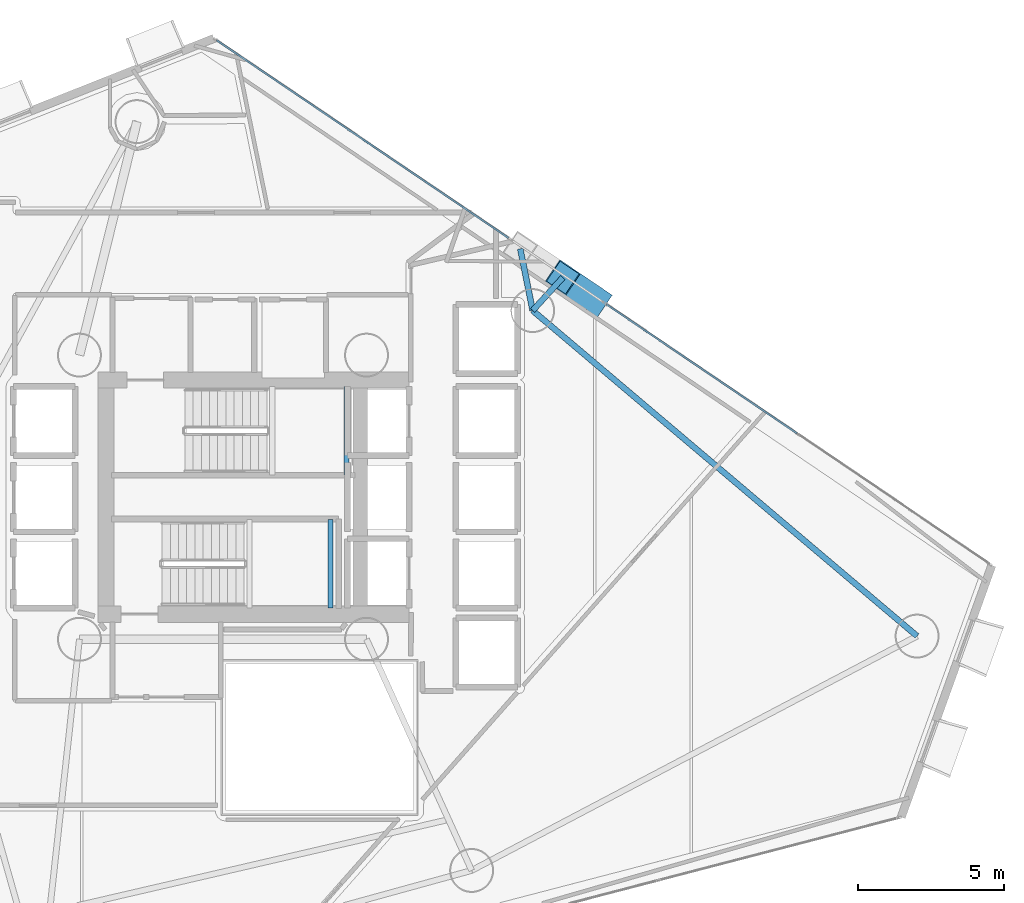
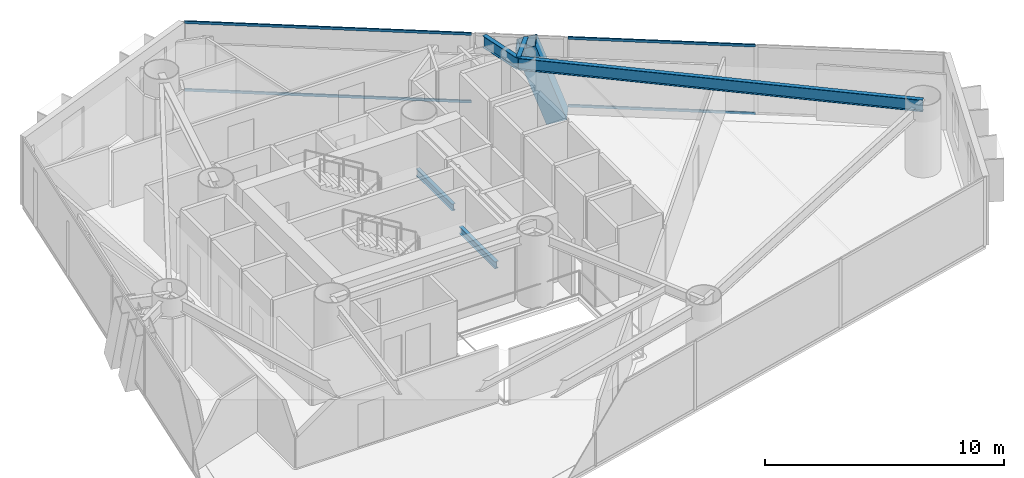
# One storey, part 10 of 21: 5 beams, 5 members, 2 elements without a shape of their own.
"""IFC4 building model written with IfcOpenShell, lengths in metres."""

import ifcopenshell
import ifcopenshell.guid

model = None  # the IFC model being written
_history = None  # IfcOwnerHistory: only IFC2X3 demands one
_inside = {}  # id of a spatial element -> (the spatial element, [elements in it])
_under = {}  # id of a project, library or spatial element -> (it, [spatial elements below it])
_declared = {}  # id of a project -> (the project, [libraries it declares])
_typed = {}  # id of a type object -> (the type object, [elements of that type])
_made_of = {}  # id of a material, layer set ... -> (it, [elements and type objects made of it])


def new_model(schema):
    """Start an empty IFC model of exactly this schema.

    Asked for "IFC4X3", IfcOpenShell would pick the latest addendum, in which some entities
    have other attributes; the version numbers below select the first issue.
    IFC2X3 requires an IfcOwnerHistory on every rooted entity: one is made here for all.
    """
    global model, _history
    if schema == "IFC4X3":
        model = ifcopenshell.file(schema_version=(4, 3, 0, 0))
    else:
        model = ifcopenshell.file(schema=schema)
    _inside.clear()
    _under.clear()
    _declared.clear()
    _typed.clear()
    _made_of.clear()
    _history = None
    if model.schema == "IFC2X3":
        org = make("IfcOrganization", Name="unknown")
        user = make(
            "IfcPersonAndOrganization",
            ThePerson=make("IfcPerson", FamilyName="unknown"),
            TheOrganization=org,
        )
        app = make(
            "IfcApplication",
            ApplicationDeveloper=org,
            Version="unknown",
            ApplicationFullName="unknown",
            ApplicationIdentifier="unknown",
        )
        _history = make(
            "IfcOwnerHistory",
            OwningUser=user,
            OwningApplication=app,
            ChangeAction="ADDED",
            CreationDate=0,
        )
    return model


def make(cls, **values):
    """One entity of the class cls with the attributes given. An attribute that is None is left unset."""
    return model.create_entity(
        cls, **{name: value for name, value in values.items() if value is not None}
    )


def rooted(cls, **values):
    """An entity with a GlobalId (a new one), such as an element, a storey or a relation."""
    return make(cls, GlobalId=ifcopenshell.guid.new(), OwnerHistory=_history, **values)


def si_unit(unit_type, name, prefix=None):
    """IfcSIUnit, for example si_unit("LENGTHUNIT", "METRE", prefix="MILLI")."""
    return make("IfcSIUnit", UnitType=unit_type, Prefix=prefix, Name=name)


def assignment(units):
    """IfcUnitAssignment: the units of a project."""
    return None if units is None else make("IfcUnitAssignment", Units=units)


def point(xyz):
    """IfcCartesianPoint."""
    return None if xyz is None else make("IfcCartesianPoint", Coordinates=xyz)


def direction(xyz):
    """IfcDirection."""
    return None if xyz is None else make("IfcDirection", DirectionRatios=xyz)


def frame(location, z_axis=None, x_axis=None):
    """IfcAxis2Placement3D, a coordinate frame: its origin and axes. An axis left out is left unset."""
    return make(
        "IfcAxis2Placement3D",
        Location=point(location),
        Axis=direction(z_axis),
        RefDirection=direction(x_axis),
    )


def frame_2d(location, x_axis=None):
    """IfcAxis2Placement2D, a coordinate frame in the plane: its origin and x axis."""
    return make(
        "IfcAxis2Placement2D", Location=point(location), RefDirection=direction(x_axis)
    )


def origin():
    """The frame at (0, 0, 0) with its axes left unset."""
    return frame((0.0, 0.0, 0.0))


def origin_2d():
    """The frame at (0, 0) in the plane with its x axis left unset."""
    return frame_2d((0.0, 0.0))


def place(relative_to, where):
    """IfcLocalPlacement: puts the frame where relative to a parent placement (None: the world)."""
    return make(
        "IfcLocalPlacement", PlacementRelTo=relative_to, RelativePlacement=where
    )


def context(
    kind, dimensions, precision=None, world=None, true_north=None, identifier=None
):
    """IfcGeometricRepresentationContext, for example the 3D "Model" context."""
    return make(
        "IfcGeometricRepresentationContext",
        ContextIdentifier=identifier,
        ContextType=kind,
        CoordinateSpaceDimension=dimensions,
        Precision=precision,
        WorldCoordinateSystem=world,
        TrueNorth=true_north,
    )


def subcontext(parent, identifier, kind, view, scale=None):
    """IfcGeometricRepresentationSubContext, for example "Body" below "Model"."""
    return make(
        "IfcGeometricRepresentationSubContext",
        ContextIdentifier=identifier,
        ContextType=kind,
        ParentContext=parent,
        TargetScale=scale,
        TargetView=view,
    )


def project(units=None, contexts=None):
    """IfcProject with its units and contexts."""
    return rooted(
        "IfcProject",
        Name="project",
        RepresentationContexts=contexts,
        UnitsInContext=assignment(units),
    )


def spatial(cls, under=None, at=None, **own):
    """A site, building, storey or space (cls), placed at a placement, below another one or the project."""
    s = rooted(cls, ObjectPlacement=at, **own)
    if under is not None:
        _under.setdefault(under.id(), (under, []))[1].append(s)
    return s


def profile(cls, at=None, kind="AREA", **sizes):
    """A parametric profile (cls). Its sizes go by their IFC names, for example OverallWidth=200.0."""
    return make(cls, ProfileType=kind, Position=at, **sizes)


def hollow_rectangle(**sizes):
    """IfcRectangleHollowProfileDef."""
    return profile("IfcRectangleHollowProfileDef", **sizes)


def i_section(**sizes):
    """IfcIShapeProfileDef."""
    return profile("IfcIShapeProfileDef", **sizes)


def extrude(swept, where, along, depth):
    """IfcExtrudedAreaSolid: the profile swept, set in the frame where, extruded along a direction by depth."""
    return make(
        "IfcExtrudedAreaSolid",
        SweptArea=swept,
        Position=where,
        ExtrudedDirection=direction(along),
        Depth=depth,
    )


def shape(context_of_items, identifier, shape_type, items):
    """IfcShapeRepresentation: the items that make up one representation, for example the "Body"."""
    return make(
        "IfcShapeRepresentation",
        ContextOfItems=context_of_items,
        RepresentationIdentifier=identifier,
        RepresentationType=shape_type,
        Items=items,
    )


def material(Name=None, Category=None):
    """IfcMaterial."""
    return make("IfcMaterial", Name=Name, Category=Category)


def layer(
    of_material, thickness, ventilated=None, Name=None, Category=None, Priority=None
):
    """IfcMaterialLayer: one layer of a wall or slab, of a material (None: an air gap)."""
    return make(
        "IfcMaterialLayer",
        Material=of_material,
        LayerThickness=thickness,
        IsVentilated=ventilated,
        Name=Name,
        Category=Category,
        Priority=Priority,
    )


def layer_set(layers, Name=None):
    """IfcMaterialLayerSet."""
    return make("IfcMaterialLayerSet", MaterialLayers=layers, LayerSetName=Name)


def material_profile(
    of_material, cross_section, Name=None, Category=None, Priority=None
):
    """IfcMaterialProfile: a cross section and its material."""
    return make(
        "IfcMaterialProfile",
        Name=Name,
        Material=of_material,
        Profile=cross_section,
        Priority=Priority,
        Category=Category,
    )


def profile_set(profiles, Name=None, composite=None):
    """IfcMaterialProfileSet."""
    return make(
        "IfcMaterialProfileSet",
        Name=Name,
        MaterialProfiles=profiles,
        CompositeProfile=composite,
    )


def made_of(thing, what):
    """Note that an element or type object is made of a material, layer set ...; save() writes the relation."""
    if what is not None:
        _made_of.setdefault(what.id(), (what, []))[1].append(thing)
    return thing


def type_object(cls, material=None, **own):
    """A type object (cls), such as IfcWallType, which elements share."""
    return made_of(rooted(cls, **own), material)


def element(
    cls,
    number,
    at=None,
    inside=None,
    cuts=None,
    type_object=None,
    material=None,
    context=None,
    identifier="Body",
    shape_type=None,
    held_by="IfcProductDefinitionShape",
    body=None,
    shapes=None,
    **own,
):
    """One element of the class cls, such as IfcWall. Its Tag is "e" and its number.

    at: its placement. inside: the storey or other place that contains it. cuts: it is an
    opening in that element (IfcRelVoidsElement). A single representation is given by context,
    identifier, shape_type and body (its items); several are given by shapes. held_by: the class
    of the entity that holds the representations. save() writes the other relations.
    """
    e = rooted(cls, Tag="e%d" % number, ObjectPlacement=at, **own)
    if body is not None:
        shapes = [shape(context, identifier, shape_type, body)]
    if shapes is not None:
        e.Representation = make(held_by, Representations=shapes)
    if inside is not None:
        _inside.setdefault(inside.id(), (inside, []))[1].append(e)
    if cuts is not None:
        rooted(
            "IfcRelVoidsElement", RelatingBuildingElement=cuts, RelatedOpeningElement=e
        )
    if type_object is not None:
        _typed.setdefault(type_object.id(), (type_object, []))[1].append(e)
    return made_of(e, material)


def aggregate(whole, parts):
    """IfcRelAggregates: a whole, such as a stair, and the parts it consists of."""
    return rooted("IfcRelAggregates", RelatingObject=whole, RelatedObjects=parts)


def save(model, path):
    """Write the relations noted so far, then the file.

    IfcRelAggregates (storeys below a building ...), IfcRelContainedInSpatialStructure (elements
    in a storey), IfcRelDefinesByType, IfcRelAssociatesMaterial and IfcRelDeclares: one each for
    every whole, place, type object, material and project.
    """
    for whole, parts in _under.values():
        aggregate(whole, parts)
    for where, things in _inside.values():
        rooted(
            "IfcRelContainedInSpatialStructure",
            RelatedElements=things,
            RelatingStructure=where,
        )
    for kind, things in _typed.values():
        rooted("IfcRelDefinesByType", RelatedObjects=things, RelatingType=kind)
    for what, things in _made_of.values():
        rooted("IfcRelAssociatesMaterial", RelatedObjects=things, RelatingMaterial=what)
    for by, libraries in _declared.values():
        rooted("IfcRelDeclares", RelatingContext=by, RelatedDefinitions=libraries)
    model.write(path)


model = new_model("IFC4")

# Units and contexts
model_context = context("Model", 3, precision=1e-05, world=origin(), true_north=direction((0.0, 1.0)))
body_context = subcontext(model_context, "Body", "Model", "MODEL_VIEW")
ifc_project = project(units=[si_unit("LENGTHUNIT", "METRE"), si_unit("AREAUNIT", "SQUARE_METRE"), si_unit("VOLUMEUNIT", "CUBIC_METRE"), si_unit("PLANEANGLEUNIT", "RADIAN"), si_unit("MASSUNIT", "GRAM", prefix="KILO")], contexts=[model_context])

# Site, building, storey
site_placement = place(None, origin())
site = spatial("IfcSite", under=ifc_project, at=site_placement, CompositionType="ELEMENT")
building_placement = place(site_placement, origin())
building = spatial("IfcBuilding", under=site, at=building_placement, Name="Qianvela Tower", CompositionType="ELEMENT")
storey_placement = place(building_placement, frame((0.0, 0.0, 108.89990234375)))
storey = spatial("IfcBuildingStorey", under=building, at=storey_placement, Name="L27", CompositionType="ELEMENT", Elevation=108.89990234375)

# Beams
ifc_material_1 = material(Name="Steel Q355B", Category="steel")
ifc_material_profile_1 = material_profile(ifc_material_1, i_section(OverallWidth=0.175048828125, OverallDepth=0.35009765625, WebThickness=0.007080078125, FlangeThickness=0.010986328125, at=origin_2d()), Name="HN350x175x7x11")
ifc_profile_set_1 = profile_set([ifc_material_profile_1], Name="Steel Q355B")
beam_type_1 = type_object("IfcBeamType", Name="BM-HN350-JOIST", PredefinedType="JOIST", material=ifc_profile_set_1)
for number, where, z_axis, x_axis, name in (
    (1, (37.719970703125, 29.4599609375, 1.47509765625), (0.0, 1.0, 0.0), (-1.0, 0.0, 0.0), "L27 Stair ST-1 Landing Support Beam 1.2"),
    (2, (37.169921875, 24.919921875, 1.47509765625), (0.0, 1.0, 0.0), (-1.0, 0.0, 0.0), "L27 Stair ST-2 Landing Support Beam 1.2"),
):
    element("IfcBeam", number, at=place(storey_placement, frame(where, z_axis=z_axis, x_axis=x_axis)), inside=storey, type_object=beam_type_1, Name=name, PredefinedType="JOIST", context=body_context, shape_type="SweptSolid", body=[
        extrude(i_section(OverallWidth=0.175048828125, OverallDepth=0.35009765625, WebThickness=0.007080078125, FlangeThickness=0.010986328125, at=origin_2d()), origin(), (0.0, 0.0, 1.0), 3.02001953125),
    ])
ifc_material_2 = material(Name="Steel Q355B", Category="steel")
ifc_material_profile_2 = material_profile(ifc_material_2, i_section(OverallWidth=0.199951171875, OverallDepth=0.60009765625, WebThickness=0.010986328125, FlangeThickness=0.01708984375, at=origin_2d()), Name="HN600x200x11x17")
ifc_profile_set_2 = profile_set([ifc_material_profile_2], Name="Steel Q355B")
beam_type_2 = type_object("IfcBeamType", Name="BM-HN600-GIRD", PredefinedType="BEAM", material=ifc_profile_set_2)
beam_1_placement = place(storey_placement, frame((44.071044921875, 35.070068359375, 3.218017578125), z_axis=(0.674440199406, 0.738329477554, 0.0), x_axis=(-0.738329477554, 0.674440199406, 0.0)))
element("IfcBeam", 3, at=beam_1_placement, inside=storey, type_object=beam_type_2, Name="L27 Mega-Brace Column Tie Bracket F1-1", PredefinedType="BEAM", context=body_context, shape_type="SweptSolid", body=[
    extrude(i_section(OverallWidth=0.199951171875, OverallDepth=0.60009765625, WebThickness=0.010986328125, FlangeThickness=0.01708984375, at=origin_2d()), origin(), (0.0, 0.0, 1.0), 1.524658203125),
])
beam_2_placement = place(storey_placement, frame((44.071044921875, 35.070068359375, 3.218017578125), z_axis=(-0.196618221157, 0.98048012479, 0.0), x_axis=(-0.98048012479, -0.196618221157, 0.0)))
element("IfcBeam", 4, at=beam_2_placement, inside=storey, type_object=beam_type_2, Name="L27 Mega-Brace Column Tie Bracket F1-2", PredefinedType="BEAM", context=body_context, shape_type="SweptSolid", body=[
    extrude(i_section(OverallWidth=0.199951171875, OverallDepth=0.60009765625, WebThickness=0.010986328125, FlangeThickness=0.01708984375, at=origin_2d()), origin(), (0.0, 0.0, 1.0), 2.150634765625),
])
beam_3_placement = place(storey_placement, frame((57.194091796875, 23.9580078125, 3.218017578125), z_axis=(-0.763158437154, 0.646211420358, 0.0), x_axis=(-0.646211420358, -0.763158437154, 0.0)))
element("IfcBeam", 5, at=beam_3_placement, inside=storey, type_object=beam_type_2, Name="L27 Perimeter Ring Spandrel Girder 1", PredefinedType="BEAM", context=body_context, shape_type="SweptSolid", body=[
    extrude(i_section(OverallWidth=0.199951171875, OverallDepth=0.60009765625, WebThickness=0.010986328125, FlangeThickness=0.01708984375, at=origin_2d()), origin(), (0.0, 0.0, 1.0), 17.19580078125),
])

# Curtain wall, members
ifc_material_3 = material(Name="Anodised Architectural Aluminium and Low-E Glass", Category="aluminium")
ifc_layer = layer(ifc_material_3, 0.169921875)
ifc_layer_set = layer_set([ifc_layer], Name="Anodised Architectural Aluminium and Low-E Glass")
curtain_wall_type = type_object("IfcCurtainWallType", Name="CW-COLIV-Z34", PredefinedType="USERDEFINED", material=ifc_layer_set)
curtain_wall_1_placement = place(storey_placement, origin())
curtain_wall_1 = element("IfcCurtainWall", 6, at=curtain_wall_1_placement, inside=storey, type_object=curtain_wall_type, Name="L27 CW-COLIV-Z34 Curtain Wall 02A", ObjectType="CURTAIN_WALL_SYSTEM", PredefinedType="USERDEFINED")
ifc_material_4 = material(Name="Anodised Architectural Aluminium 6063-T6", Category="aluminium")
ifc_material_profile_3 = material_profile(ifc_material_4, hollow_rectangle(XDim=0.06494140625, YDim=0.1298828125, WallThickness=0.00439453125, at=origin_2d()), Name="ALU-TRAN-65x130")
ifc_profile_set_3 = profile_set([ifc_material_profile_3], Name="Anodised Architectural Aluminium 6063-T6")
member_type_1 = type_object("IfcMemberType", Name="CW-COLIV-Z34-TRAN", PredefinedType="USERDEFINED", material=ifc_profile_set_3)
member_1_placement = place(storey_placement, frame((53.092529296875, 30.8779296875, 0.03271484375), z_axis=(-0.827926136892, 0.560837152702, 0.0), x_axis=(-0.560837152702, -0.827926136892, 0.0)))
member_1 = element("IfcMember", 7, at=member_1_placement, type_object=member_type_1, Name="CW-4 transom 2.1", ObjectType="TRANSOM", PredefinedType="USERDEFINED", context=body_context, shape_type="SweptSolid", body=[
    extrude(hollow_rectangle(XDim=0.06494140625, YDim=0.1298828125, WallThickness=0.00439453125, at=origin_2d()), origin(), (0.0, 0.0, 1.0), 7.857421875),
])
member_2_placement = place(storey_placement, frame((53.092529296875, 30.8779296875, 3.487548828125), z_axis=(-0.827926136892, 0.560837152702, 0.0), x_axis=(-0.560837152702, -0.827926136892, 0.0)))
member_2 = element("IfcMember", 8, at=member_2_placement, type_object=member_type_1, Name="CW-4 transom 2.2", ObjectType="TRANSOM", PredefinedType="USERDEFINED", context=body_context, shape_type="SweptSolid", body=[
    extrude(hollow_rectangle(XDim=0.06494140625, YDim=0.1298828125, WallThickness=0.00439453125, at=origin_2d()), origin(), (0.0, 0.0, 1.0), 7.857421875),
])
aggregate(curtain_wall_1, [member_1, member_2])

curtain_wall_2_placement = place(storey_placement, origin())
curtain_wall_2 = element("IfcCurtainWall", 9, at=curtain_wall_2_placement, inside=storey, type_object=curtain_wall_type, Name="L27 CW-COLIV-Z34 Curtain Wall 02C", ObjectType="CURTAIN_WALL_SYSTEM", PredefinedType="USERDEFINED")
member_3_placement = place(storey_placement, frame((43.2421875, 37.550537109375, 0.03271484375), z_axis=(-0.827933891199, 0.56082570537, 0.0), x_axis=(-0.56082570537, -0.827933891199, 0.0)))
member_3 = element("IfcMember", 10, at=member_3_placement, type_object=member_type_1, Name="CW-4 transom 1.1", ObjectType="TRANSOM", PredefinedType="USERDEFINED", context=body_context, shape_type="SweptSolid", body=[
    extrude(hollow_rectangle(XDim=0.06494140625, YDim=0.1298828125, WallThickness=0.00439453125, at=origin_2d()), origin(), (0.0, 0.0, 1.0), 12.0283203125),
])
member_4_placement = place(storey_placement, frame((43.2421875, 37.550537109375, 3.487548828125), z_axis=(-0.827933891199, 0.56082570537, 0.0), x_axis=(-0.56082570537, -0.827933891199, 0.0)))
member_4 = element("IfcMember", 11, at=member_4_placement, type_object=member_type_1, Name="CW-4 transom 1.2", ObjectType="TRANSOM", PredefinedType="USERDEFINED", context=body_context, shape_type="SweptSolid", body=[
    extrude(hollow_rectangle(XDim=0.06494140625, YDim=0.1298828125, WallThickness=0.00439453125, at=origin_2d()), origin(), (0.0, 0.0, 1.0), 12.0283203125),
])
aggregate(curtain_wall_2, [member_3, member_4])

# Member
ifc_material_5 = material(Name="Steel Q420GJC", Category="steel")
ifc_material_profile_4 = material_profile(ifc_material_5, hollow_rectangle(XDim=0.89990234375, YDim=0.89990234375, WallThickness=0.035888671875, at=origin_2d()), Name="MBOX-900x900x36")
ifc_profile_set_4 = profile_set([ifc_material_profile_4], Name="Steel Q420GJC")
member_type_2 = type_object("IfcMemberType", Name="MBR-MBRACE-900", PredefinedType="BRACE", material=ifc_profile_set_4)
member_5_placement = place(storey_placement, frame((46.18603515625, 35.459716796875, -0.48193359375), z_axis=(-0.276798530976, 0.187496645898, 0.942458264872), x_axis=(-0.560823467271, -0.827935407238, 0.0)))
element("IfcMember", 12, at=member_5_placement, inside=storey, type_object=member_type_2, Name="L27 Tier 4 Exterior Mega-Brace F1A", PredefinedType="BRACE", context=body_context, shape_type="SweptSolid", body=[
    extrude(hollow_rectangle(XDim=0.89990234375, YDim=0.89990234375, WallThickness=0.035888671875, at=origin_2d()), origin(), (0.0, 0.0, 1.0), 3.92578125),
])

save(model, "model.ifc")
